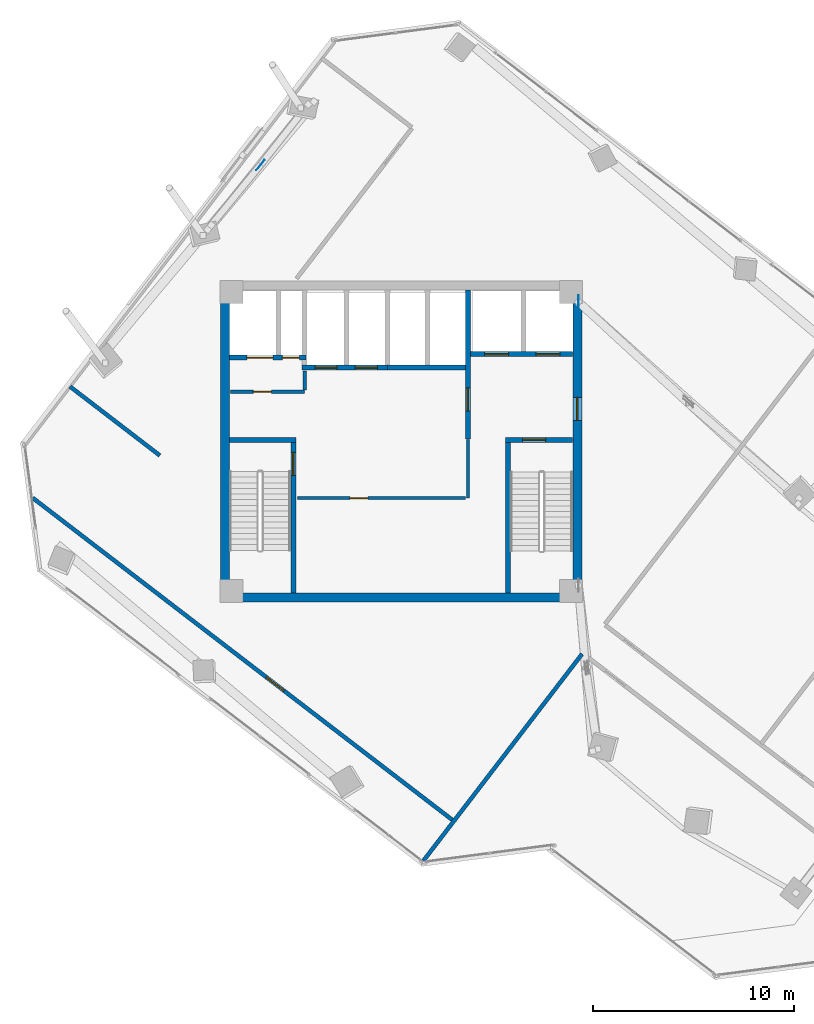
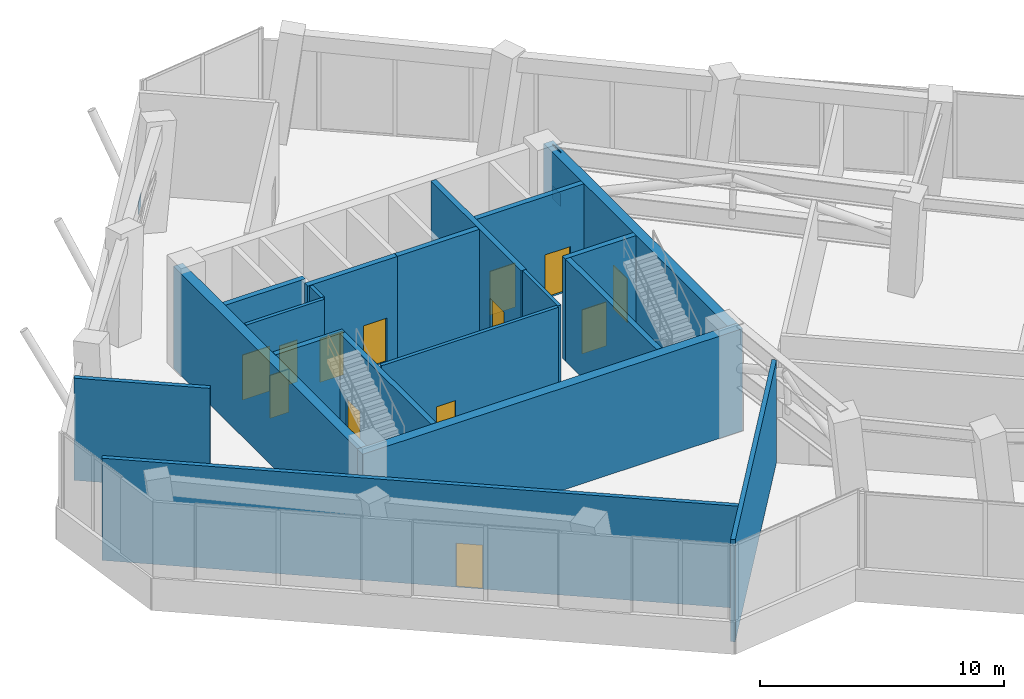
# One storey, part 18 of 22: 19 walls, 13 doors, 3 plates, 13 openings.
"""IFC4 building model written with IfcOpenShell, lengths in metres."""

from ifc_helpers import new_model, si_unit, direction, frame, frame_2d, origin, origin_2d, place, context, subcontext, project, spatial, rectangle, extrude, source, transform, mapped, material, layer, layer_set, type_object, element, fill, save


model = new_model("IFC4")

# Units and contexts
model_context = context("Model", 3, precision=1e-05, world=origin(), true_north=direction((0.0, 1.0)))
body_context = subcontext(model_context, "Body", "Model", "MODEL_VIEW")
ifc_project = project(units=[si_unit("LENGTHUNIT", "METRE"), si_unit("AREAUNIT", "SQUARE_METRE"), si_unit("VOLUMEUNIT", "CUBIC_METRE"), si_unit("PLANEANGLEUNIT", "RADIAN"), si_unit("MASSUNIT", "GRAM", prefix="KILO")], contexts=[model_context])

# Site, building, storey
site_placement = place(None, origin())
site = spatial("IfcSite", under=ifc_project, at=site_placement, CompositionType="ELEMENT")
building_placement = place(site_placement, origin())
building = spatial("IfcBuilding", under=site, at=building_placement, Name="Torre Montelarca", CompositionType="ELEMENT")
storey_placement = place(building_placement, frame((0.0, 0.0, 209.800048828125)))
storey = spatial("IfcBuildingStorey", under=building, at=storey_placement, Name="L47", CompositionType="ELEMENT", Elevation=209.800048828125)

# Plates
ifc_material_1 = material(Name="Steel ASTM A572 Grade 50", Category="steel")
ifc_layer_1 = layer(ifc_material_1, 0.02392578125, Name="Steel ASTM A572 Grade 50", Category="steel")
ifc_layer_set_1 = layer_set([ifc_layer_1], Name="Steel ASTM A572 Grade 50")
plate_type_1 = type_object("IfcPlateType", Name="PL-GUSSET-24", PredefinedType="SHEET", material=ifc_layer_set_1)
shared_shape_1 = source(origin(), body_context, "Body", "SweptSolid", [
    extrude(rectangle(XDim=0.64990234375, YDim=0.02392578125, at=origin_2d()), origin(), (0.0, 0.0, 1.0), 0.64990234375),
])
for number, where, z_axis, x_axis, name in (
    (1, (26.820068359375, 38.949951171875, 2.425048828125), (0.0, 0.0, 1.0), (0.0, 1.0, 0.0), "L47 Outrigger Core Wall Cast-In Embed Plate 2-CB"),
    (2, (26.820068359375, 38.949951171875, 4.52490234375), (0.0, 0.0, 1.0), (0.0, 1.0, 0.0), "L47 Outrigger Core Wall Cast-In Embed Plate 2-CT"),
):
    element("IfcPlate", number, at=place(storey_placement, frame(where, z_axis=z_axis, x_axis=x_axis)), inside=storey, type_object=plate_type_1, Name=name, PredefinedType="SHEET", context=body_context, shape_type="MappedRepresentation", body=[
        mapped(shared_shape_1, transform((0.0, 0.0, 0.0), scale=1.0)),
    ])
ifc_layer_2 = layer(ifc_material_1, 0.02392578125, Name="Steel ASTM A572 Grade 50", Category="steel")
ifc_layer_set_2 = layer_set([ifc_layer_2], Name="Steel ASTM A572 Grade 50")
plate_type_2 = type_object("IfcPlateType", Name="PL-GUSSET-24-EXT", PredefinedType="SHEET", material=ifc_layer_set_2)
shared_shape_2 = source(origin(), body_context, "Body", "SweptSolid", [
    extrude(rectangle(XDim=0.64990234375, YDim=0.02392578125, at=origin_2d()), origin(), (0.0, 0.0, 1.0), 0.64990234375),
])
plate_placement = place(storey_placement, frame((10.98681640625, 45.757568359375, 3.47509765625), z_axis=(0.0, 0.0, 1.0), x_axis=(0.626195665085, 0.779665947075, 0.0)))
element("IfcPlate", 3, at=plate_placement, inside=storey, type_object=plate_type_2, Name="L47 Belt-Truss X-Brace Crossing Gusset Plate 1", PredefinedType="SHEET", context=body_context, shape_type="MappedRepresentation", body=[
    mapped(shared_shape_2, transform((0.0, 0.0, 0.0), scale=1.0)),
])

# Wall, opening, door
ifc_material_2 = material(Name="Concrete C40/50", Category="concrete")
ifc_layer_3 = layer(ifc_material_2, 0.25, Name="Concrete C40/50", Category="concrete")
ifc_layer_set_3 = layer_set([ifc_layer_3], Name="Concrete C40/50")
wall_type_1 = type_object("IfcWallType", Name="CW-SHAFT-250", PredefinedType="SHEAR", material=ifc_layer_set_3)
wall_1_placement = place(storey_placement, frame((12.625, 24.4599609375, 0.0), z_axis=(0.0, 0.0, 1.0), x_axis=(0.0, 1.0, 0.0)))
wall_1 = element("IfcWall", 4, at=wall_1_placement, inside=storey, type_object=wall_type_1, Name="L47 Core Shear Wall SH-ST1-E", PredefinedType="SHEAR", context=body_context, shape_type="SweptSolid", body=[
    extrude(rectangle(XDim=7.489990234375, YDim=0.25, at=frame_2d((3.7451171875, 0.0))), origin(), (0.0, 0.0, 1.0), 5.119873046875),
])
opening_1_placement = place(wall_1_placement, frame((5.85009765625, 0.0, 0.0)))
opening_1 = element("IfcOpeningElement", 5, at=opening_1_placement, cuts=wall_1, Name="Opening FD-ST1", PredefinedType="OPENING", context=body_context, shape_type="SweptSolid", body=[
    extrude(rectangle(XDim=1.14990234375, YDim=2.199951171875, at=frame_2d((0.574951171875, 1.10009765625))), frame((0.0, 0.135009765625, 0.0), z_axis=(0.0, -1.0, 0.0), x_axis=(1.0, 0.0, 0.0)), (0.0, 0.0, 1.0), 0.27001953125),
])
ifc_material_3 = material(Name="Galvanized steel fire door", Category="steel")
door_type_1 = type_object("IfcDoorType", Name="DR-STAIR-115", OperationType="NOTDEFINED", PredefinedType="DOOR", material=ifc_material_3)
shared_shape_3 = source(origin(), body_context, "Body", "SweptSolid", [
    extrude(rectangle(XDim=1.14990234375, YDim=2.199951171875, at=frame_2d((0.574951171875, 1.10009765625))), frame((0.0, 0.02490234375, 0.0), z_axis=(0.0, -1.0, 0.0), x_axis=(1.0, 0.0, 0.0)), (0.0, 0.0, 1.0), 0.050048828125),
])
door_1_placement = place(opening_1_placement, origin())
door_1 = element("IfcDoor", 6, at=door_1_placement, inside=storey, type_object=door_type_1, Name="L47 Exit Stair ST1 Fire Door", OperationType="SINGLE_SWING_RIGHT", OverallHeight=2.199951171875, OverallWidth=1.14990234375, PredefinedType="DOOR", context=body_context, shape_type="MappedRepresentation", body=[
    mapped(shared_shape_3, transform((0.0, 0.0, 0.0), scale=1.0)),
])
fill(opening_1, door_1)

# Walls
wall_2_placement = place(storey_placement, frame((9.4599609375, 32.074951171875, 0.0), z_axis=(0.0, 0.0, 1.0), x_axis=(1.0, 0.0, 0.0)))
element("IfcWall", 7, at=wall_2_placement, inside=storey, type_object=wall_type_1, Name="L47 Core Shear Wall SH-ST1-N", PredefinedType="SHEAR", context=body_context, shape_type="SweptSolid", body=[
    extrude(rectangle(XDim=3.2900390625, YDim=0.25, at=frame_2d((1.64501953125, 0.0))), origin(), (0.0, 0.0, 1.0), 5.119873046875),
])
wall_3_placement = place(storey_placement, frame((23.31494140625, 24.4599609375, 0.0), z_axis=(0.0, 0.0, 1.0), x_axis=(0.0, 1.0, 0.0)))
element("IfcWall", 8, at=wall_3_placement, inside=storey, type_object=wall_type_1, Name="L47 Core Shear Wall SH-ST2-W", PredefinedType="SHEAR", context=body_context, shape_type="SweptSolid", body=[
    extrude(rectangle(XDim=7.489990234375, YDim=0.25, at=frame_2d((3.7451171875, 0.0))), origin(), (0.0, 0.0, 1.0), 5.119873046875),
])

# Wall, opening, door
wall_4_placement = place(storey_placement, frame((23.18994140625, 32.074951171875, 0.0), z_axis=(0.0, 0.0, 1.0), x_axis=(1.0, 0.0, 0.0)))
wall_4 = element("IfcWall", 9, at=wall_4_placement, inside=storey, type_object=wall_type_1, Name="L47 Core Shear Wall SH-ST2-N", PredefinedType="SHEAR", context=body_context, shape_type="SweptSolid", body=[
    extrude(rectangle(XDim=3.35009765625, YDim=0.25, at=frame_2d((1.675048828125, 0.0))), origin(), (0.0, 0.0, 1.0), 5.119873046875),
])
opening_2_placement = place(wall_4_placement, frame((0.85009765625, 0.0, 0.0)))
opening_2 = element("IfcOpeningElement", 10, at=opening_2_placement, cuts=wall_4, Name="Opening FD-ST1", PredefinedType="OPENING", context=body_context, shape_type="SweptSolid", body=[
    extrude(rectangle(XDim=1.14990234375, YDim=2.199951171875, at=frame_2d((0.574951171875, 1.10009765625))), frame((0.0, 0.135009765625, 0.0), z_axis=(0.0, -1.0, 0.0), x_axis=(1.0, 0.0, 0.0)), (0.0, 0.0, 1.0), 0.27001953125),
])
door_2_placement = place(opening_2_placement, origin())
door_2 = element("IfcDoor", 11, at=door_2_placement, inside=storey, type_object=door_type_1, Name="L47 Exit Stair ST2 Fire Door", OperationType="SINGLE_SWING_RIGHT", OverallHeight=2.199951171875, OverallWidth=1.14990234375, PredefinedType="DOOR", context=body_context, shape_type="MappedRepresentation", body=[
    mapped(shared_shape_3, transform((0.0, 0.0, 0.0), scale=1.0)),
])
fill(opening_2, door_2)

wall_5_placement = place(storey_placement, frame((21.320068359375, 32.1201171875, 0.0), z_axis=(0.0, 0.0, 1.0), x_axis=(0.0, 1.0, 0.0)))
wall_5 = element("IfcWall", 12, at=wall_5_placement, inside=storey, type_object=wall_type_1, Name="L47 Core Shear Wall SH-FFL-W", PredefinedType="SHEAR", context=body_context, shape_type="SweptSolid", body=[
    extrude(rectangle(XDim=7.419921875, YDim=0.25, at=frame_2d((3.7099609375, 0.0))), origin(), (0.0, 0.0, 1.0), 5.119873046875),
])
opening_3_placement = place(wall_5_placement, frame((1.39990234375, 0.0, 0.0)))
opening_3 = element("IfcOpeningElement", 13, at=opening_3_placement, cuts=wall_5, Name="Opening FD-LB1", PredefinedType="OPENING", context=body_context, shape_type="SweptSolid", body=[
    extrude(rectangle(XDim=1.14990234375, YDim=2.199951171875, at=frame_2d((0.574951171875, 1.10009765625))), frame((0.0, 0.135009765625, 0.0), z_axis=(0.0, -1.0, 0.0), x_axis=(1.0, 0.0, 0.0)), (0.0, 0.0, 1.0), 0.27001953125),
])
ifc_material_4 = material(Name="Acoustic timber-veneered fire door", Category="wood")
door_type_2 = type_object("IfcDoorType", Name="DR-LOBBY-115", OperationType="NOTDEFINED", PredefinedType="DOOR", material=ifc_material_4)
shared_shape_4 = source(origin(), body_context, "Body", "SweptSolid", [
    extrude(rectangle(XDim=1.14990234375, YDim=2.199951171875, at=frame_2d((0.574951171875, 1.10009765625))), frame((0.0, 0.02490234375, 0.0), z_axis=(0.0, -1.0, 0.0), x_axis=(1.0, 0.0, 0.0)), (0.0, 0.0, 1.0), 0.050048828125),
])
door_3_placement = place(opening_3_placement, origin())
door_3 = element("IfcDoor", 14, at=door_3_placement, inside=storey, type_object=door_type_2, Name="L47 Lift Lobby to Firefighting Lobby Smoke Door", OperationType="SINGLE_SWING_LEFT", OverallHeight=2.199951171875, OverallWidth=1.14990234375, PredefinedType="DOOR", context=body_context, shape_type="MappedRepresentation", body=[
    mapped(shared_shape_4, transform((0.0, 0.0, 0.0), scale=1.0)),
])
fill(opening_3, door_3)

# Wall, openings, doors
wall_6_placement = place(storey_placement, frame((9.4599609375, 36.179931640625, 0.0), z_axis=(0.0, 0.0, 1.0), x_axis=(1.0, 0.0, 0.0)))
wall_6 = element("IfcWall", 15, at=wall_6_placement, inside=storey, type_object=wall_type_1, Name="L47 Core Shear Wall SH-SV1-S", PredefinedType="SHEAR", context=body_context, shape_type="SweptSolid", body=[
    extrude(rectangle(XDim=3.7900390625, YDim=0.25, at=frame_2d((1.89501953125, 0.0))), origin(), (0.0, 0.0, 1.0), 5.119873046875),
])
opening_4_placement = place(wall_6_placement, frame((2.6201171875, 0.0, 0.0)))
opening_4 = element("IfcOpeningElement", 16, at=opening_4_placement, cuts=wall_6, Name="Opening FD-085", PredefinedType="OPENING", context=body_context, shape_type="SweptSolid", body=[
    extrude(rectangle(XDim=0.85009765625, YDim=2.10009765625, at=frame_2d((0.425048828125, 1.050048828125))), frame((0.0, 0.135009765625, 0.0), z_axis=(0.0, -1.0, 0.0), x_axis=(1.0, 0.0, 0.0)), (0.0, 0.0, 1.0), 0.27001953125),
])
opening_5_placement = place(wall_6_placement, frame((0.85009765625, 0.0, 0.0)))
opening_5 = element("IfcOpeningElement", 17, at=opening_5_placement, cuts=wall_6, Name="Opening LD-130", PredefinedType="OPENING", context=body_context, shape_type="SweptSolid", body=[
    extrude(rectangle(XDim=1.300048828125, YDim=2.25, at=frame_2d((0.64990234375, 1.125))), frame((0.0, 0.135009765625, 0.0), z_axis=(0.0, -1.0, 0.0), x_axis=(1.0, 0.0, 0.0)), (0.0, 0.0, 1.0), 0.27001953125),
])
ifc_material_5 = material(Name="Steel riser access fire door", Category="steel")
door_type_3 = type_object("IfcDoorType", Name="DR-RISER-085", OperationType="NOTDEFINED", PredefinedType="DOOR", material=ifc_material_5)
shared_shape_5 = source(origin(), body_context, "Body", "SweptSolid", [
    extrude(rectangle(XDim=0.85009765625, YDim=2.10009765625, at=frame_2d((0.425048828125, 1.050048828125))), frame((0.0, 0.02490234375, 0.0), z_axis=(0.0, -1.0, 0.0), x_axis=(1.0, 0.0, 0.0)), (0.0, 0.0, 1.0), 0.050048828125),
])
door_4_placement = place(opening_4_placement, origin())
door_4 = element("IfcDoor", 18, at=door_4_placement, inside=storey, type_object=door_type_3, Name="L47 Electrical Riser Shaft Access Door", OperationType="SINGLE_SWING_RIGHT", OverallHeight=2.10009765625, OverallWidth=0.85009765625, PredefinedType="DOOR", context=body_context, shape_type="MappedRepresentation", body=[
    mapped(shared_shape_5, transform((0.0, 0.0, 0.0), scale=1.0)),
])
fill(opening_4, door_4)
ifc_material_6 = material(Name="Brushed stainless steel AISI 316", Category="steel")
door_type_4 = type_object("IfcDoorType", Name="DR-LIFT-130", OperationType="SLIDING_TO_LEFT", PredefinedType="DOOR", material=ifc_material_6)
shared_shape_6 = source(origin(), body_context, "Body", "SweptSolid", [
    extrude(rectangle(XDim=1.300048828125, YDim=2.25, at=frame_2d((0.64990234375, 1.125))), frame((0.0, 0.02490234375, 0.0), z_axis=(0.0, -1.0, 0.0), x_axis=(1.0, 0.0, 0.0)), (0.0, 0.0, 1.0), 0.050048828125),
])
door_5_placement = place(opening_5_placement, origin())
door_5 = element("IfcDoor", 19, at=door_5_placement, inside=storey, type_object=door_type_4, Name="L47 Lift Landing Sliding Door SV-1", OperationType="SLIDING_TO_LEFT", OverallHeight=2.25, OverallWidth=1.300048828125, PredefinedType="DOOR", context=body_context, shape_type="MappedRepresentation", body=[
    mapped(shared_shape_6, transform((0.0, 0.0, 0.0), scale=1.0)),
])
fill(opening_5, door_5)

wall_7_placement = place(storey_placement, frame((21.449951171875, 36.35009765625, 0.0), z_axis=(0.0, 0.0, 1.0), x_axis=(1.0, 0.0, 0.0)))
wall_7 = element("IfcWall", 20, at=wall_7_placement, inside=storey, type_object=wall_type_1, Name="L47 Core Shear Wall SH-FF-S", PredefinedType="SHEAR", context=body_context, shape_type="SweptSolid", body=[
    extrude(rectangle(XDim=5.090087890625, YDim=0.25, at=frame_2d((2.544921875, 0.0))), origin(), (0.0, 0.0, 1.0), 5.119873046875),
])
opening_6_placement = place(wall_7_placement, frame((0.699951171875, 0.0, 0.0)))
opening_6 = element("IfcOpeningElement", 21, at=opening_6_placement, cuts=wall_7, Name="Opening LD-120", PredefinedType="OPENING", context=body_context, shape_type="SweptSolid", body=[
    extrude(rectangle(XDim=1.199951171875, YDim=2.199951171875, at=frame_2d((0.60009765625, 1.10009765625))), frame((0.0, 0.135009765625, 0.0), z_axis=(0.0, -1.0, 0.0), x_axis=(1.0, 0.0, 0.0)), (0.0, 0.0, 1.0), 0.27001953125),
])
opening_7_placement = place(wall_7_placement, frame((3.25, 0.0, 0.0)))
opening_7 = element("IfcOpeningElement", 22, at=opening_7_placement, cuts=wall_7, Name="Opening LD-120", PredefinedType="OPENING", context=body_context, shape_type="SweptSolid", body=[
    extrude(rectangle(XDim=1.199951171875, YDim=2.199951171875, at=frame_2d((0.60009765625, 1.10009765625))), frame((0.0, 0.135009765625, 0.0), z_axis=(0.0, -1.0, 0.0), x_axis=(1.0, 0.0, 0.0)), (0.0, 0.0, 1.0), 0.27001953125),
])
door_type_5 = type_object("IfcDoorType", Name="DR-LIFT-120", OperationType="SLIDING_TO_RIGHT", PredefinedType="DOOR", material=ifc_material_6)
shared_shape_7 = source(origin(), body_context, "Body", "SweptSolid", [
    extrude(rectangle(XDim=1.199951171875, YDim=2.199951171875, at=frame_2d((0.60009765625, 1.10009765625))), frame((0.0, 0.02490234375, 0.0), z_axis=(0.0, -1.0, 0.0), x_axis=(1.0, 0.0, 0.0)), (0.0, 0.0, 1.0), 0.050048828125),
])
door_6_placement = place(opening_6_placement, origin())
door_6 = element("IfcDoor", 23, at=door_6_placement, inside=storey, type_object=door_type_5, Name="L47 Lift Landing Sliding Door FF-1", OperationType="SLIDING_TO_LEFT", OverallHeight=2.199951171875, OverallWidth=1.199951171875, PredefinedType="DOOR", context=body_context, shape_type="MappedRepresentation", body=[
    mapped(shared_shape_7, transform((0.0, 0.0, 0.0), scale=1.0)),
])
fill(opening_6, door_6)
door_7_placement = place(opening_7_placement, origin())
door_7 = element("IfcDoor", 24, at=door_7_placement, inside=storey, type_object=door_type_5, Name="L47 Lift Landing Sliding Door FF-2", OperationType="SLIDING_TO_RIGHT", OverallHeight=2.199951171875, OverallWidth=1.199951171875, PredefinedType="DOOR", context=body_context, shape_type="MappedRepresentation", body=[
    mapped(shared_shape_7, transform((0.0, 0.0, 0.0), scale=1.0)),
])
fill(opening_7, door_7)

wall_8_placement = place(storey_placement, frame((13.06005859375, 35.679931640625, 0.0), z_axis=(0.0, 0.0, 1.0), x_axis=(1.0, 0.0, 0.0)))
wall_8 = element("IfcWall", 25, at=wall_8_placement, inside=storey, type_object=wall_type_1, Name="L47 Core Shear Wall SH-PLM-S", PredefinedType="SHEAR", context=body_context, shape_type="SweptSolid", body=[
    extrude(rectangle(XDim=4.25, YDim=0.25, at=frame_2d((2.125, 0.0))), origin(), (0.0, 0.0, 1.0), 5.119873046875),
])
opening_8_placement = place(wall_8_placement, frame((0.64990234375, 0.0, 0.0)))
opening_8 = element("IfcOpeningElement", 26, at=opening_8_placement, cuts=wall_8, Name="Opening LD-110", PredefinedType="OPENING", context=body_context, shape_type="SweptSolid", body=[
    extrude(rectangle(XDim=1.10009765625, YDim=2.199951171875, at=frame_2d((0.550048828125, 1.10009765625))), frame((0.0, 0.135009765625, 0.0), z_axis=(0.0, -1.0, 0.0), x_axis=(1.0, 0.0, 0.0)), (0.0, 0.0, 1.0), 0.27001953125),
])
opening_9_placement = place(wall_8_placement, frame((2.64990234375, 0.0, 0.0)))
opening_9 = element("IfcOpeningElement", 27, at=opening_9_placement, cuts=wall_8, Name="Opening LD-110", PredefinedType="OPENING", context=body_context, shape_type="SweptSolid", body=[
    extrude(rectangle(XDim=1.10009765625, YDim=2.199951171875, at=frame_2d((0.550048828125, 1.10009765625))), frame((0.0, 0.135009765625, 0.0), z_axis=(0.0, -1.0, 0.0), x_axis=(1.0, 0.0, 0.0)), (0.0, 0.0, 1.0), 0.27001953125),
])
door_type_6 = type_object("IfcDoorType", Name="DR-LIFT-110", OperationType="SLIDING_TO_LEFT", PredefinedType="DOOR", material=ifc_material_6)
shared_shape_8 = source(origin(), body_context, "Body", "SweptSolid", [
    extrude(rectangle(XDim=1.10009765625, YDim=2.199951171875, at=frame_2d((0.550048828125, 1.10009765625))), frame((0.0, 0.02490234375, 0.0), z_axis=(0.0, -1.0, 0.0), x_axis=(1.0, 0.0, 0.0)), (0.0, 0.0, 1.0), 0.050048828125),
])
door_8_placement = place(opening_8_placement, origin())
door_8 = element("IfcDoor", 28, at=door_8_placement, inside=storey, type_object=door_type_6, Name="L47 Lift Landing Sliding Door PL-M1", OperationType="SLIDING_TO_LEFT", OverallHeight=2.199951171875, OverallWidth=1.10009765625, PredefinedType="DOOR", context=body_context, shape_type="MappedRepresentation", body=[
    mapped(shared_shape_8, transform((0.0, 0.0, 0.0), scale=1.0)),
])
fill(opening_8, door_8)
door_9_placement = place(opening_9_placement, origin())
door_9 = element("IfcDoor", 29, at=door_9_placement, inside=storey, type_object=door_type_6, Name="L47 Lift Landing Sliding Door PL-M2", OperationType="SLIDING_TO_RIGHT", OverallHeight=2.199951171875, OverallWidth=1.10009765625, PredefinedType="DOOR", context=body_context, shape_type="MappedRepresentation", body=[
    mapped(shared_shape_8, transform((0.0, 0.0, 0.0), scale=1.0)),
])
fill(opening_9, door_9)

# Walls
wall_9_placement = place(storey_placement, frame((17.320068359375, 35.679931640625, 0.0), z_axis=(0.0, 0.0, 1.0), x_axis=(1.0, 0.0, 0.0)))
element("IfcWall", 30, at=wall_9_placement, inside=storey, type_object=wall_type_1, Name="L47 Core Shear Wall SH-PLH-S", PredefinedType="SHEAR", context=body_context, shape_type="SweptSolid", body=[
    extrude(rectangle(XDim=3.869873046875, YDim=0.25, at=frame_2d((1.93505859375, 0.0))), origin(), (0.0, 0.0, 1.0), 5.119873046875),
])
ifc_material_7 = material(Name="Concrete C55/67", Category="concrete")
ifc_layer_4 = layer(ifc_material_7, 0.449951171875, Name="Concrete C55/67", Category="concrete")
ifc_layer_set_4 = layer_set([ifc_layer_4], Name="Concrete C55/67")
wall_type_2 = type_object("IfcWallType", Name="CW-SHEAR-450", PredefinedType="SHEAR", material=ifc_layer_set_4)
wall_10_placement = place(storey_placement, frame((9.22509765625, 24.449951171875, 0.0), z_axis=(0.0, 0.0, 1.0), x_axis=(0.0, 1.0, 0.0)))
element("IfcWall", 31, at=wall_10_placement, inside=storey, type_object=wall_type_2, Name="L47 Core Shear Wall CW-W", PredefinedType="SHEAR", context=body_context, shape_type="SweptSolid", body=[
    extrude(rectangle(XDim=15.10009765625, YDim=0.449951171875, at=frame_2d((7.550048828125, 0.0))), origin(), (0.0, 0.0, 1.0), 5.119873046875),
])

# Wall, opening, door
wall_11_placement = place(storey_placement, frame((26.77490234375, 24.449951171875, 0.0), z_axis=(0.0, 0.0, 1.0), x_axis=(0.0, 1.0, 0.0)))
wall_11 = element("IfcWall", 32, at=wall_11_placement, inside=storey, type_object=wall_type_2, Name="L47 Core Shear Wall CW-E", PredefinedType="SHEAR", context=body_context, shape_type="SweptSolid", body=[
    extrude(rectangle(XDim=15.10009765625, YDim=0.449951171875, at=frame_2d((7.550048828125, 0.0))), origin(), (0.0, 0.0, 1.0), 5.119873046875),
])
opening_10_placement = place(wall_11_placement, frame((8.60009765625, 0.0, 0.0)))
opening_10 = element("IfcOpeningElement", 33, at=opening_10_placement, cuts=wall_11, Name="Opening FD-LB1", PredefinedType="OPENING", context=body_context, shape_type="SweptSolid", body=[
    extrude(rectangle(XDim=1.14990234375, YDim=2.199951171875, at=frame_2d((0.574951171875, 1.10009765625))), frame((0.0, 0.23486328125, 0.0), z_axis=(0.0, -1.0, 0.0), x_axis=(1.0, 0.0, 0.0)), (0.0, 0.0, 1.0), 0.469970703125),
])
door_10_placement = place(opening_10_placement, origin())
door_10 = element("IfcDoor", 34, at=door_10_placement, inside=storey, type_object=door_type_2, Name="L47 Firefighting Lift Lobby Corridor Fire Door", OperationType="SINGLE_SWING_RIGHT", OverallHeight=2.199951171875, OverallWidth=1.14990234375, PredefinedType="DOOR", context=body_context, shape_type="MappedRepresentation", body=[
    mapped(shared_shape_4, transform((0.0, 0.0, 0.0), scale=1.0)),
])
fill(opening_10, door_10)

# Wall
wall_12_placement = place(storey_placement, frame((9.0, 24.22509765625, 0.0), z_axis=(0.0, 0.0, 1.0), x_axis=(1.0, 0.0, 0.0)))
element("IfcWall", 35, at=wall_12_placement, inside=storey, type_object=wall_type_2, Name="L47 Core Shear Wall CW-S1", PredefinedType="SHEAR", context=body_context, shape_type="SweptSolid", body=[
    extrude(rectangle(XDim=18.0, YDim=0.449951171875, at=frame_2d((9.0, 0.0))), origin(), (0.0, 0.0, 1.0), 5.119873046875),
])

# Wall, opening, door
ifc_material_8 = material(Name="Gypsum plasterboard on steel stud", Category="steel")
ifc_layer_5 = layer(ifc_material_8, 0.159912109375, Name="Gypsum plasterboard on steel stud", Category="steel")
ifc_layer_set_5 = layer_set([ifc_layer_5], Name="Gypsum plasterboard on steel stud")
wall_type_3 = type_object("IfcWallType", Name="PW-FIRE-160", PredefinedType="PARTITIONING", material=ifc_layer_set_5)
wall_13_placement = place(storey_placement, frame((9.489990234375, 34.47998046875, 0.0), z_axis=(0.0, 0.0, 1.0), x_axis=(1.0, 0.0, 0.0)))
wall_13 = element("IfcWall", 36, at=wall_13_placement, inside=storey, type_object=wall_type_3, Name="L47 Interior Partition CW-L47-SVS", PredefinedType="PARTITIONING", context=body_context, shape_type="SweptSolid", body=[
    extrude(rectangle(XDim=3.699951171875, YDim=0.159912109375, at=frame_2d((1.85009765625, 0.0))), origin(), (0.0, 0.0, 1.0), 5.119873046875),
])
opening_11_placement = place(wall_13_placement, frame((1.14990234375, 0.0, 0.0)))
opening_11 = element("IfcOpeningElement", 37, at=opening_11_placement, cuts=wall_13, Name="Opening FD-090", PredefinedType="OPENING", context=body_context, shape_type="SweptSolid", body=[
    extrude(rectangle(XDim=0.89990234375, YDim=2.14990234375, at=frame_2d((0.449951171875, 1.074951171875))), frame((0.0, 0.08984375, 0.0), z_axis=(0.0, -1.0, 0.0), x_axis=(1.0, 0.0, 0.0)), (0.0, 0.0, 1.0), 0.179931640625),
])
ifc_material_9 = material(Name="Steel service fire door", Category="steel")
door_type_7 = type_object("IfcDoorType", Name="DR-FIRE-090", OperationType="NOTDEFINED", PredefinedType="DOOR", material=ifc_material_9)
shared_shape_9 = source(origin(), body_context, "Body", "SweptSolid", [
    extrude(rectangle(XDim=0.89990234375, YDim=2.14990234375, at=frame_2d((0.449951171875, 1.074951171875))), frame((0.0, 0.02490234375, 0.0), z_axis=(0.0, -1.0, 0.0), x_axis=(1.0, 0.0, 0.0)), (0.0, 0.0, 1.0), 0.050048828125),
])
door_11_placement = place(opening_11_placement, origin())
door_11 = element("IfcDoor", 38, at=door_11_placement, inside=storey, type_object=door_type_7, Name="L47 Interior Door 01", OperationType="SINGLE_SWING_RIGHT", OverallHeight=2.14990234375, OverallWidth=0.89990234375, PredefinedType="DOOR", context=body_context, shape_type="MappedRepresentation", body=[
    mapped(shared_shape_9, transform((0.0, 0.0, 0.0), scale=1.0)),
])
fill(opening_11, door_11)

# Wall
wall_14_placement = place(storey_placement, frame((13.199951171875, 34.570068359375, 0.0), z_axis=(0.0, 0.0, 1.0), x_axis=(0.0, 1.0, 0.0)))
element("IfcWall", 39, at=wall_14_placement, inside=storey, type_object=wall_type_3, Name="L47 Interior Partition CW-L47-SVE", PredefinedType="PARTITIONING", context=body_context, shape_type="SweptSolid", body=[
    extrude(rectangle(XDim=0.93994140625, YDim=0.159912109375, at=frame_2d((0.469970703125, 0.0))), origin(), (0.0, 0.0, 1.0), 5.119873046875),
])

# Wall, opening, door
wall_15_placement = place(storey_placement, frame((12.840087890625, 29.179931640625, 0.0), z_axis=(0.0, 0.0, 1.0), x_axis=(1.0, 0.0, 0.0)))
wall_15 = element("IfcWall", 40, at=wall_15_placement, inside=storey, type_object=wall_type_3, Name="L47 Interior Partition CW-L47-FRDN", PredefinedType="PARTITIONING", context=body_context, shape_type="SweptSolid", body=[
    extrude(rectangle(XDim=8.369873046875, YDim=0.159912109375, at=frame_2d((4.18505859375, 0.0))), origin(), (0.0, 0.0, 1.0), 5.119873046875),
])
opening_12_placement = place(wall_15_placement, frame((2.60009765625, 0.0, 0.0)))
opening_12 = element("IfcOpeningElement", 41, at=opening_12_placement, cuts=wall_15, Name="Opening FD-090", PredefinedType="OPENING", context=body_context, shape_type="SweptSolid", body=[
    extrude(rectangle(XDim=0.89990234375, YDim=2.14990234375, at=frame_2d((0.449951171875, 1.074951171875))), frame((0.0, 0.08984375, 0.0), z_axis=(0.0, -1.0, 0.0), x_axis=(1.0, 0.0, 0.0)), (0.0, 0.0, 1.0), 0.179931640625),
])
door_12_placement = place(opening_12_placement, origin())
door_12 = element("IfcDoor", 42, at=door_12_placement, inside=storey, type_object=door_type_7, Name="L47 Interior Door 02", OperationType="SINGLE_SWING_LEFT", OverallHeight=2.14990234375, OverallWidth=0.89990234375, PredefinedType="DOOR", context=body_context, shape_type="MappedRepresentation", body=[
    mapped(shared_shape_9, transform((0.0, 0.0, 0.0), scale=1.0)),
])
fill(opening_12, door_12)

# Wall
wall_16_placement = place(storey_placement, frame((21.320068359375, 29.18994140625, 0.0), z_axis=(0.0, 0.0, 1.0), x_axis=(0.0, 1.0, 0.0)))
element("IfcWall", 43, at=wall_16_placement, inside=storey, type_object=wall_type_3, Name="L47 Interior Partition CW-L47-FRE", PredefinedType="PARTITIONING", context=body_context, shape_type="SweptSolid", body=[
    extrude(rectangle(XDim=2.920166015625, YDim=0.159912109375, at=frame_2d((1.4599609375, 0.0))), origin(), (0.0, 0.0, 1.0), 5.119873046875),
])

# Wall, opening, door
ifc_material_10 = material(Name="Gypsum fireboard and rockwool on steel stud", Category="steel")
ifc_layer_6 = layer(ifc_material_10, 0.199951171875, Name="Gypsum fireboard and rockwool on steel stud", Category="steel")
ifc_layer_set_6 = layer_set([ifc_layer_6], Name="Gypsum fireboard and rockwool on steel stud")
wall_type_4 = type_object("IfcWallType", Name="PW-FIRE-200", PredefinedType="SOLIDWALL", material=ifc_layer_set_6)
wall_17_placement = place(storey_placement, frame((-0.355712890625, 29.1953125, 0.0), z_axis=(0.0, 0.0, 1.0), x_axis=(0.79335253165, -0.60876248285, 0.0)))
wall_17 = element("IfcWall", 44, at=wall_17_placement, inside=storey, type_object=wall_type_4, Name="L47 Interior Partition W-L47-REFS", PredefinedType="SOLIDWALL", context=body_context, shape_type="SweptSolid", body=[
    extrude(rectangle(XDim=26.40185546875, YDim=0.199951171875, at=frame_2d((13.200927734375, 0.0))), origin(), (0.0, 0.0, 1.0), 5.119873046875),
])
opening_13_placement = place(wall_17_placement, frame((14.669921875, 0.0, 0.0)))
opening_13 = element("IfcOpeningElement", 45, at=opening_13_placement, cuts=wall_17, Name="Opening FD-110", PredefinedType="OPENING", context=body_context, shape_type="SweptSolid", body=[
    extrude(rectangle(XDim=1.10009765625, YDim=2.199951171875, at=frame_2d((0.550048828125, 1.10009765625))), frame((0.0, 0.10986328125, 0.0), z_axis=(0.0, -1.0, 0.0), x_axis=(1.0, 0.0, 0.0)), (0.0, 0.0, 1.0), 0.219970703125),
])
ifc_material_11 = material(Name="Timber fire-rated suite door", Category="wood")
door_type_8 = type_object("IfcDoorType", Name="DR-FIRE-110", OperationType="NOTDEFINED", PredefinedType="DOOR", material=ifc_material_11)
shared_shape_10 = source(origin(), body_context, "Body", "SweptSolid", [
    extrude(rectangle(XDim=1.10009765625, YDim=2.199951171875, at=frame_2d((0.550048828125, 1.10009765625))), frame((0.0, 0.02490234375, 0.0), z_axis=(0.0, -1.0, 0.0), x_axis=(1.0, 0.0, 0.0)), (0.0, 0.0, 1.0), 0.050048828125),
])
door_13_placement = place(opening_13_placement, origin())
door_13 = element("IfcDoor", 46, at=door_13_placement, inside=storey, type_object=door_type_8, Name="L47 Interior Door 03", OperationType="SINGLE_SWING_RIGHT", OverallHeight=2.199951171875, OverallWidth=1.10009765625, PredefinedType="DOOR", context=body_context, shape_type="MappedRepresentation", body=[
    mapped(shared_shape_10, transform((0.0, 0.0, 0.0), scale=1.0)),
])
fill(opening_13, door_13)

# Walls
wall_18_placement = place(storey_placement, frame((19.106201171875, 11.123046875, 0.0), z_axis=(0.0, 0.0, 1.0), x_axis=(0.608751338357, 0.793361083019, 0.0)))
element("IfcWall", 47, at=wall_18_placement, inside=storey, type_object=wall_type_4, Name="L47 Interior Partition W-L47-REFE", PredefinedType="SOLIDWALL", context=body_context, shape_type="SweptSolid", body=[
    extrude(rectangle(XDim=12.97998046875, YDim=0.199951171875, at=frame_2d((6.489990234375, 0.0))), origin(), (0.0, 0.0, 1.0), 5.119873046875),
])
wall_19_placement = place(storey_placement, frame((1.5126953125, 34.73193359375, 0.0), z_axis=(0.0, 0.0, 1.0), x_axis=(0.793374587845, -0.608733737657, 0.0)))
element("IfcWall", 48, at=wall_19_placement, inside=storey, type_object=wall_type_4, Name="L47 Interior Partition W-L47-ELECS", PredefinedType="SOLIDWALL", context=body_context, shape_type="SweptSolid", body=[
    extrude(rectangle(XDim=5.630126953125, YDim=0.199951171875, at=frame_2d((2.81494140625, 0.0))), origin(), (0.0, 0.0, 1.0), 5.119873046875),
])

save(model, "model.ifc")
